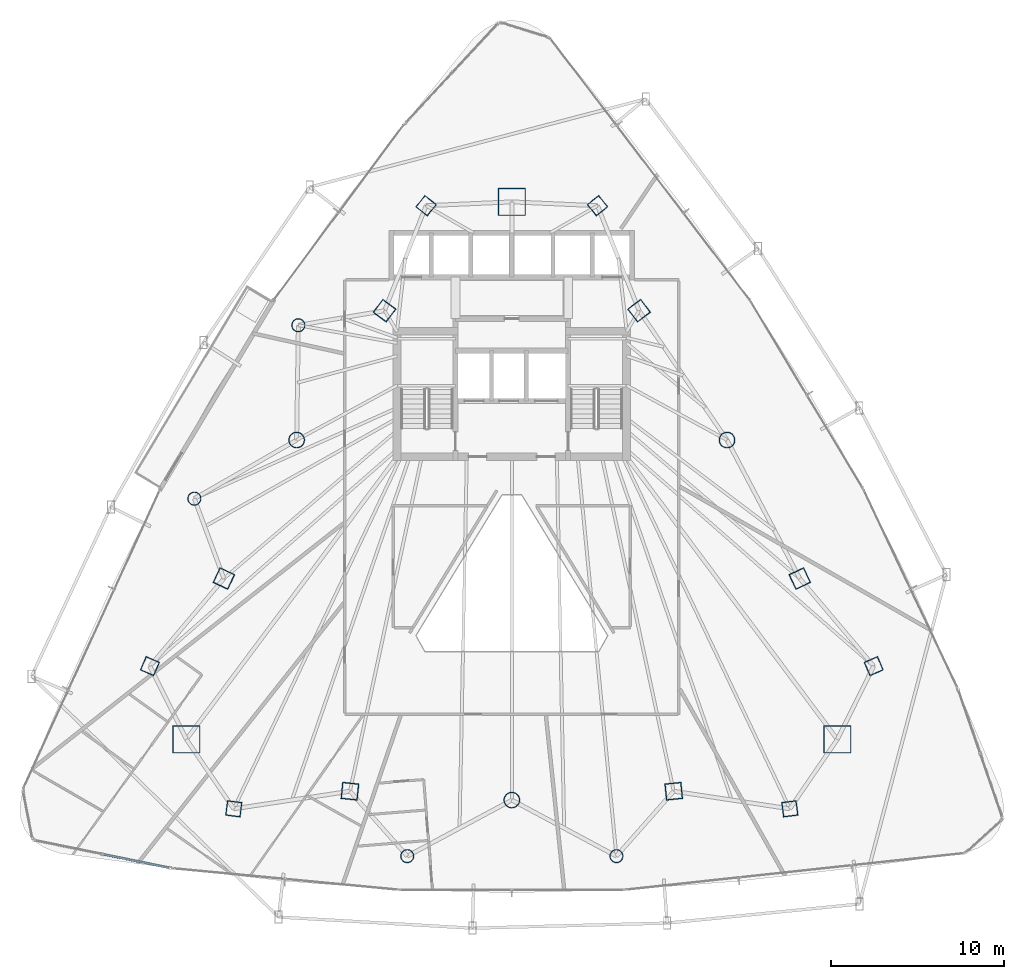
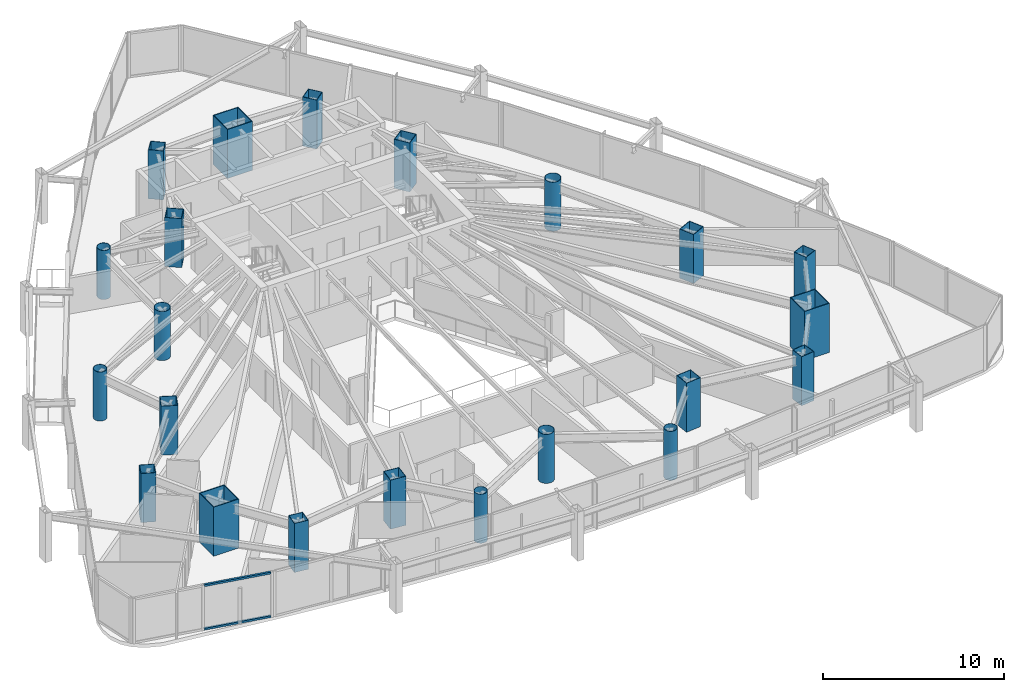
# One storey, part 1 of 37: 22 columns, 2 members, 1 element without a shape of its own.
"""IFC4 building model written with IfcOpenShell, lengths in metres."""

from ifc_helpers import new_model, si_unit, direction, frame, origin, origin_2d, place, context, subcontext, project, spatial, hollow_rectangle, hollow_circle, extrude, material, layer, layer_set, material_profile, profile_set, type_object, element, aggregate, save


model = new_model("IFC4")

# Units and contexts
model_context = context("Model", 3, precision=1e-05, world=origin(), true_north=direction((0.0, 1.0)))
body_context = subcontext(model_context, "Body", "Model", "MODEL_VIEW")
ifc_project = project(units=[si_unit("LENGTHUNIT", "METRE"), si_unit("AREAUNIT", "SQUARE_METRE"), si_unit("VOLUMEUNIT", "CUBIC_METRE"), si_unit("PLANEANGLEUNIT", "RADIAN"), si_unit("MASSUNIT", "GRAM", prefix="KILO")], contexts=[model_context])

# Site, building, storey
site_placement = place(None, origin())
site = spatial("IfcSite", under=ifc_project, at=site_placement, CompositionType="ELEMENT")
building_placement = place(site_placement, origin())
building = spatial("IfcBuilding", under=site, at=building_placement, Name="Orvanel Arch Residences", CompositionType="ELEMENT")
storey_placement = place(building_placement, frame((0.0, 0.0, 53.300048828125)))
storey = spatial("IfcBuildingStorey", under=building, at=storey_placement, Name="L14", CompositionType="ELEMENT", Elevation=53.300048828125)

# Columns
ifc_material_1 = material(Name="Structural steel AS/NZS 1163 C450L0 (Grade 450)", Category="steel")
ifc_material_profile_1 = material_profile(ifc_material_1, hollow_circle(Radius=0.381103515625, WallThickness=0.02197265625, at=origin_2d()), Name="CHS762x22")
ifc_profile_set_1 = profile_set([ifc_material_profile_1], Name="Structural steel AS/NZS 1163 C450L0 (Grade 450)")
column_type_1 = type_object("IfcColumnType", Name="CC-762", PredefinedType="COLUMN", material=ifc_profile_set_1)
for number, where, z_axis, x_axis, name in (
    (1, (20.669921875, 34.27099609375, 0.0), (0.0, 0.0, 1.0), (1.0, 0.0, 0.0), "L14 Low-Rise Buttress Tube Column 01"),
    (2, (14.662109375, 24.256103515625, 0.0), (0.0, 0.0, 1.0), (1.0, 0.0, 0.0), "L14 Low-Rise Buttress Tube Column 02"),
    (3, (26.9580078125, 3.60498046875, 0.0), (0.0, 0.0, 1.0), (1.0, 0.0, 0.0), "L14 Low-Rise Buttress Tube Column 03"),
    (4, (39.0419921875, 3.60498046875, 0.0), (0.0, 0.0, 1.0), (1.0, 0.0, 0.0), "L14 Low-Rise Buttress Tube Column 04"),
):
    element("IfcColumn", number, at=place(storey_placement, frame(where, z_axis=z_axis, x_axis=x_axis)), inside=storey, type_object=column_type_1, Name=name, PredefinedType="COLUMN", context=body_context, shape_type="SweptSolid", body=[
        extrude(hollow_circle(Radius=0.381103515625, WallThickness=0.02197265625, at=origin_2d()), origin(), (0.0, 0.0, 1.0), 3.300048828125),
    ])
ifc_material_profile_2 = material_profile(ifc_material_1, hollow_circle(Radius=0.45703125, WallThickness=0.02490234375, at=origin_2d()), Name="CHS914x25")
ifc_profile_set_2 = profile_set([ifc_material_profile_2], Name="Structural steel AS/NZS 1163 C450L0 (Grade 450)")
column_type_2 = type_object("IfcColumnType", Name="CC-914", PredefinedType="COLUMN", material=ifc_profile_set_2)
for number, where, z_axis, x_axis, name in (
    (5, (20.569091796875, 27.64111328125, 0.0), (0.0, 0.0, 1.0), (1.0, 0.0, 0.0), "L14 High-Rise Tube Column 02"),
    (6, (33.0, 6.843994140625, 0.0), (0.0, 0.0, 1.0), (1.0, 0.0, 0.0), "L14 High-Rise Tube Column 05"),
    (7, (45.430908203125, 27.64111328125, 0.0), (0.0, 0.0, 1.0), (1.0, 0.0, 0.0), "L14 High-Rise Tube Column 08"),
):
    element("IfcColumn", number, at=place(storey_placement, frame(where, z_axis=z_axis, x_axis=x_axis)), inside=storey, type_object=column_type_2, Name=name, PredefinedType="COLUMN", context=body_context, shape_type="SweptSolid", body=[
        extrude(hollow_circle(Radius=0.45703125, WallThickness=0.02490234375, at=origin_2d()), origin(), (0.0, 0.0, 1.0), 3.300048828125),
    ])
ifc_material_2 = material(Name="Structural steel AS/NZS 3678 Grade 450", Category="steel")
ifc_material_profile_3 = material_profile(ifc_material_2, hollow_rectangle(XDim=1.60009765625, YDim=1.60009765625, WallThickness=0.050048828125, at=origin_2d()), Name="BOX1600x1600x50")
ifc_profile_set_3 = profile_set([ifc_material_profile_3], Name="Structural steel AS/NZS 3678 Grade 450")
column_type_3 = type_object("IfcColumnType", Name="MC-1600", PredefinedType="COLUMN", material=ifc_profile_set_3)
for number, where, z_axis, x_axis, name in (
    (8, (33.0, 41.39794921875, 0.0), (0.0, 0.0, 1.0), (1.0, 0.0, 0.0), "L14 Corner Mega-Column 1"),
    (9, (14.198974609375, 10.35107421875, 0.0), (0.0, 0.0, 1.0), (1.0, 0.0, 0.0), "L14 Corner Mega-Column 2"),
    (10, (51.801025390625, 10.35107421875, 0.0), (0.0, 0.0, 1.0), (1.0, 0.0, 0.0), "L14 Corner Mega-Column 3"),
):
    element("IfcColumn", number, at=place(storey_placement, frame(where, z_axis=z_axis, x_axis=x_axis)), inside=storey, type_object=column_type_3, Name=name, PredefinedType="COLUMN", context=body_context, shape_type="SweptSolid", body=[
        extrude(hollow_rectangle(XDim=1.60009765625, YDim=1.60009765625, WallThickness=0.050048828125, at=origin_2d()), origin(), (0.0, 0.0, 1.0), 3.300048828125),
    ])
ifc_material_3 = material(Name="Structural steel AS/NZS 3678 Grade 350", Category="steel")
ifc_material_profile_4 = material_profile(ifc_material_3, hollow_rectangle(XDim=0.85009765625, YDim=0.85009765625, WallThickness=0.028076171875, at=origin_2d()), Name="BOX850x850x28")
ifc_profile_set_4 = profile_set([ifc_material_profile_4], Name="Structural steel AS/NZS 3678 Grade 350")
column_type_4 = type_object("IfcColumnType", Name="TC-850", PredefinedType="COLUMN", material=ifc_profile_set_4)
for number, where, z_axis, x_axis, name in (
    (11, (28.050048828125, 41.177978515625, 0.0), (0.0, 0.0, 1.0), (0.623879596709, 0.781520472419, 0.0), "L14 Mid-Rise Buttress Tube Column 01"),
    (12, (12.094970703125, 14.580078125, 0.0), (0.0, 0.0, 1.0), (0.397147890635, 0.917754625684, 0.0), "L14 Mid-Rise Buttress Tube Column 02"),
    (13, (16.94091796875, 6.339111328125, 0.0), (0.0, 0.0, 1.0), (-0.99189444259, 0.127064608601, 0.0), "L14 Mid-Rise Buttress Tube Column 03"),
    (14, (49.05908203125, 6.339111328125, 0.0), (0.0, 0.0, 1.0), (0.99189444259, 0.127064608601, 0.0), "L14 Mid-Rise Buttress Tube Column 04"),
    (15, (53.905029296875, 14.580078125, 0.0), (0.0, 0.0, 1.0), (-0.397147890635, 0.917754625684, 0.0), "L14 Mid-Rise Buttress Tube Column 05"),
    (16, (37.949951171875, 41.177978515625, 0.0), (0.0, 0.0, 1.0), (-0.623879596709, 0.781520472419, 0.0), "L14 Mid-Rise Buttress Tube Column 06"),
):
    element("IfcColumn", number, at=place(storey_placement, frame(where, z_axis=z_axis, x_axis=x_axis)), inside=storey, type_object=column_type_4, Name=name, PredefinedType="COLUMN", context=body_context, shape_type="SweptSolid", body=[
        extrude(hollow_rectangle(XDim=0.85009765625, YDim=0.85009765625, WallThickness=0.028076171875, at=origin_2d()), origin(), (0.0, 0.0, 1.0), 3.300048828125),
    ])
ifc_material_profile_5 = material_profile(ifc_material_3, hollow_rectangle(XDim=0.949951171875, YDim=0.949951171875, WallThickness=0.031982421875, at=origin_2d()), Name="BOX950x950x32")
ifc_profile_set_5 = profile_set([ifc_material_profile_5], Name="Structural steel AS/NZS 3678 Grade 350")
column_type_5 = type_object("IfcColumnType", Name="TC-950", PredefinedType="COLUMN", material=ifc_profile_set_5)
for number, where, z_axis, x_axis, name in (
    (17, (25.64794921875, 35.113037109375, 0.0), (0.0, 0.0, 1.0), (0.600420225326, 0.799684658487, 0.0), "L14 High-Rise Tube Column 01"),
    (18, (16.366943359375, 19.64208984375, 0.0), (0.0, 0.0, 1.0), (0.422618261741, 0.906307787037, 0.0), "L14 High-Rise Tube Column 03"),
    (19, (23.64892578125, 7.35498046875, 0.0), (0.0, 0.0, 1.0), (-0.994880708829, 0.101056297183, 0.0), "L14 High-Rise Tube Column 04"),
    (20, (42.35107421875, 7.35498046875, 0.0), (0.0, 0.0, 1.0), (0.994880708829, 0.101056297183, 0.0), "L14 High-Rise Tube Column 06"),
    (21, (49.633056640625, 19.64208984375, 0.0), (0.0, 0.0, 1.0), (-0.422618261741, 0.906307787037, 0.0), "L14 High-Rise Tube Column 07"),
    (22, (40.35205078125, 35.113037109375, 0.0), (0.0, 0.0, 1.0), (-0.600420225326, 0.799684658487, 0.0), "L14 High-Rise Tube Column 09"),
):
    element("IfcColumn", number, at=place(storey_placement, frame(where, z_axis=z_axis, x_axis=x_axis)), inside=storey, type_object=column_type_5, Name=name, PredefinedType="COLUMN", context=body_context, shape_type="SweptSolid", body=[
        extrude(hollow_rectangle(XDim=0.949951171875, YDim=0.949951171875, WallThickness=0.031982421875, at=origin_2d()), origin(), (0.0, 0.0, 1.0), 3.300048828125),
    ])

# Curtain wall, members
ifc_material_4 = material(Name="Bronze-anodised aluminium AA6063-T6", Category="aluminium")
ifc_layer = layer(ifc_material_4, 0.18994140625)
ifc_layer_set = layer_set([ifc_layer], Name="Bronze-anodised aluminium AA6063-T6")
curtain_wall_type = type_object("IfcCurtainWallType", Name="CW5-CRN-SYS", PredefinedType="NOTDEFINED", material=ifc_layer_set)
curtain_wall_placement = place(storey_placement, origin())
curtain_wall = element("IfcCurtainWall", 23, at=curtain_wall_placement, inside=storey, type_object=curtain_wall_type, Name="L14 CW5-CRN-SYS Unitised Curtain Wall", PredefinedType="NOTDEFINED")
ifc_material_profile_6 = material_profile(ifc_material_4, hollow_rectangle(XDim=0.1298828125, YDim=0.1298828125, WallThickness=0.00439453125, at=origin_2d()), Name="ALU130x130x4.5")
ifc_profile_set_6 = profile_set([ifc_material_profile_6], Name="Bronze-anodised aluminium AA6063-T6")
member_type = type_object("IfcMemberType", Name="TRN-130x130", PredefinedType="USERDEFINED", material=ifc_profile_set_6)
member_1_placement = place(storey_placement, frame((9.41748046875, 3.70849609375, 0.06494140625), z_axis=(0.97974683009, -0.200240228048, 0.0), x_axis=(0.200240228048, 0.97974683009, 0.0)))
member_1 = element("IfcMember", 24, at=member_1_placement, type_object=member_type, Name="CW-S5 transom 2.1", ObjectType="TRANSOM", PredefinedType="USERDEFINED", context=body_context, shape_type="SweptSolid", body=[
    extrude(hollow_rectangle(XDim=0.1298828125, YDim=0.1298828125, WallThickness=0.00439453125, at=origin_2d()), origin(), (0.0, 0.0, 1.0), 3.857666015625),
])
member_2_placement = place(storey_placement, frame((9.41748046875, 3.70849609375, 2.994873046875), z_axis=(0.97974683009, -0.200240228048, 0.0), x_axis=(0.200240228048, 0.97974683009, 0.0)))
member_2 = element("IfcMember", 25, at=member_2_placement, type_object=member_type, Name="CW-S5 transom 2.2", ObjectType="TRANSOM", PredefinedType="USERDEFINED", context=body_context, shape_type="SweptSolid", body=[
    extrude(hollow_rectangle(XDim=0.1298828125, YDim=0.1298828125, WallThickness=0.00439453125, at=origin_2d()), origin(), (0.0, 0.0, 1.0), 3.857666015625),
])
aggregate(curtain_wall, [member_1, member_2])

save(model, "model.ifc")
